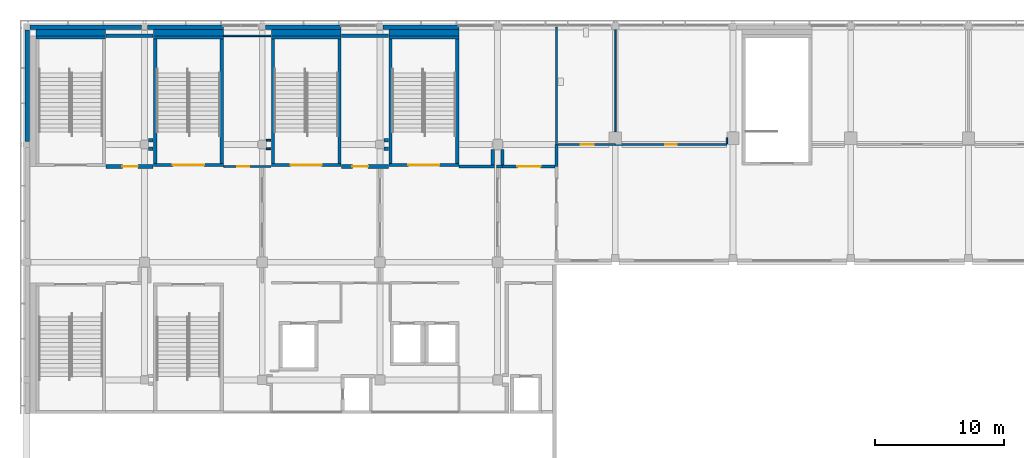
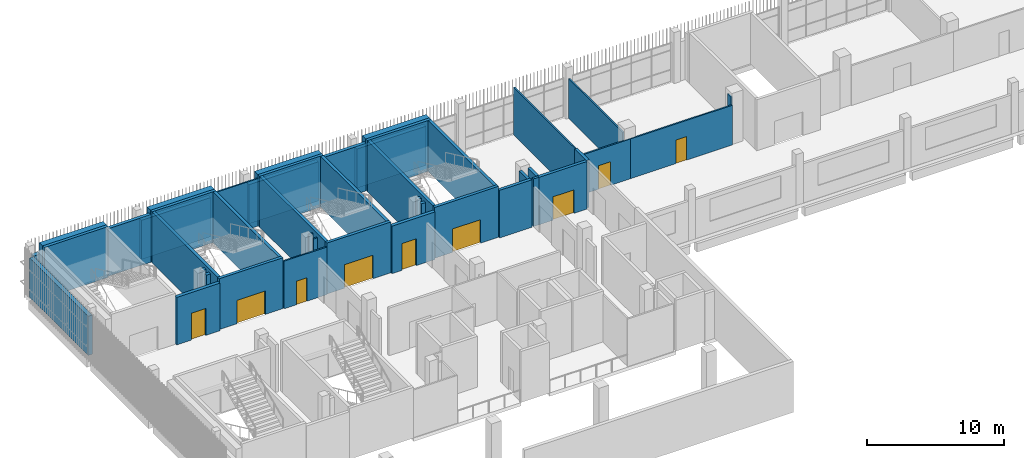
# One storey, part 62 of 104: 45 walls, 9 doors, 9 openings.
"""IFC4 building model written with IfcOpenShell, lengths in metres."""

from ifc_helpers import new_model, si_unit, direction, frame, frame_2d, origin, place, context, subcontext, project, spatial, rectangle, extrude, material, layer, layer_set, type_object, element, fill, save


model = new_model("IFC4")

# Units and contexts
model_context = context("Model", 3, precision=1e-05, world=origin(), true_north=direction((0.0, 1.0)))
body_context = subcontext(model_context, "Body", "Model", "MODEL_VIEW")
ifc_project = project(units=[si_unit("LENGTHUNIT", "METRE"), si_unit("AREAUNIT", "SQUARE_METRE"), si_unit("VOLUMEUNIT", "CUBIC_METRE"), si_unit("PLANEANGLEUNIT", "RADIAN"), si_unit("MASSUNIT", "GRAM", prefix="KILO")], contexts=[model_context])

# Site, building, storey
site_placement = place(None, origin())
site = spatial("IfcSite", under=ifc_project, at=site_placement, CompositionType="ELEMENT")
building_placement = place(site_placement, origin())
building = spatial("IfcBuilding", under=site, at=building_placement, Name="Shirokan Park Arena", CompositionType="ELEMENT")
storey_placement = place(building_placement, frame((0.0, 0.0, 10.919921875)))
storey = spatial("IfcBuildingStorey", under=building, at=storey_placement, Name="L02", CompositionType="ELEMENT", Elevation=10.919921875)

# Walls
ifc_material_1 = material(Name="Plaster")
ifc_layer_1 = layer(ifc_material_1, 0.014892578125, Name="Plaster")
ifc_material_2 = material(Name="Concrete blockwork", Category="masonry")
ifc_layer_2 = layer(ifc_material_2, 0.219970703125, Name="Concrete blockwork 220")
ifc_layer_3 = layer(ifc_material_1, 0.014892578125, Name="Plaster")
ifc_layer_set_1 = layer_set([ifc_layer_1, ifc_layer_2, ifc_layer_3], Name="Plaster + Concrete blockwork 220")
wall_type_1 = type_object("IfcWallType", Name="Compartment wall 250", PredefinedType="SOLIDWALL", material=ifc_layer_set_1)
wall_1_placement = place(storey_placement, frame((33.429931640625, 98.39990234375, 0.0), z_axis=(0.0, 0.0, 1.0), x_axis=(1.0, 0.0, 0.0)))
element("IfcWall", 1, at=wall_1_placement, inside=storey, type_object=wall_type_1, Name="Compartment wall 250 L02", PredefinedType="SOLIDWALL", context=body_context, shape_type="SweptSolid", body=[
    extrude(rectangle(XDim=2.719970703125, YDim=0.25, at=frame_2d((1.35986328125, 0.0))), origin(), (0.0, 0.0, 1.0), 4.25),
])
wall_2_placement = place(storey_placement, frame((36.02490234375, 98.52490234375, 0.0), z_axis=(0.0, 0.0, 1.0), x_axis=(0.0, 1.0, 0.0)))
element("IfcWall", 2, at=wall_2_placement, inside=storey, type_object=wall_type_1, Name="Compartment wall 250 L02", PredefinedType="SOLIDWALL", context=body_context, shape_type="SweptSolid", body=[
    extrude(rectangle(XDim=1.2001953125, YDim=0.25, at=frame_2d((0.60009765625, 0.0))), origin(), (0.0, 0.0, 1.0), 4.25),
])

# Wall, opening, door
wall_3_placement = place(storey_placement, frame((36.77490234375, 98.39990234375, 0.0), z_axis=(0.0, 0.0, 1.0), x_axis=(1.0, 0.0, 0.0)))
wall_3 = element("IfcWall", 3, at=wall_3_placement, inside=storey, type_object=wall_type_1, Name="Compartment wall 250 L02", PredefinedType="SOLIDWALL", context=body_context, shape_type="SweptSolid", body=[
    extrude(rectangle(XDim=4.050048828125, YDim=0.25, at=frame_2d((2.02490234375, 0.0))), origin(), (0.0, 0.0, 1.0), 4.25),
])
opening_1_placement = place(wall_3_placement, frame((1.14990234375, 0.0, 0.0)))
opening_1 = element("IfcOpeningElement", 4, at=opening_1_placement, cuts=wall_3, Name="Opening D-2030", PredefinedType="OPENING", context=body_context, shape_type="SweptSolid", body=[
    extrude(rectangle(XDim=1.800048828125, YDim=2.10009765625, at=frame_2d((0.89990234375, 1.050048828125))), frame((0.0, 0.135009765625, 0.0), z_axis=(0.0, -1.0, 0.0), x_axis=(1.0, 0.0, 0.0)), (0.0, 0.0, 1.0), 0.27001953125),
])
ifc_material_3 = material(Name="Timber door set, fire resisting", Category="wood")
door_type_1 = type_object("IfcDoorType", Name="Double door 1800 x 2100", OperationType="DOUBLE_DOOR_SINGLE_SWING", PredefinedType="DOOR", material=ifc_material_3)
door_1_placement = place(opening_1_placement, origin())
door_1 = element("IfcDoor", 5, at=door_1_placement, inside=storey, type_object=door_type_1, Name="Door to Glass Wash Room 2.43 D-2030", OperationType="DOUBLE_DOOR_SINGLE_SWING", OverallHeight=2.10009765625, OverallWidth=1.800048828125, PredefinedType="DOOR", context=body_context, shape_type="SweptSolid", body=[
    extrude(rectangle(XDim=1.800048828125, YDim=2.10009765625, at=frame_2d((0.89990234375, 1.050048828125))), frame((0.0, 0.02490234375, 0.0), z_axis=(0.0, -1.0, 0.0), x_axis=(1.0, 0.0, 0.0)), (0.0, 0.0, 1.0), 0.050048828125),
])
fill(opening_1, door_1)

# Walls
wall_4_placement = place(storey_placement, frame((36.77490234375, 99.72509765625, 0.0), z_axis=(0.0, 0.0, 1.0), x_axis=(0.0, -1.0, 0.0)))
element("IfcWall", 6, at=wall_4_placement, inside=storey, type_object=wall_type_1, Name="Compartment wall 250 L02", PredefinedType="SOLIDWALL", context=body_context, shape_type="SweptSolid", body=[
    extrude(rectangle(XDim=1.2001953125, YDim=0.25, at=frame_2d((0.60009765625, 0.0))), origin(), (0.0, 0.0, 1.0), 4.25),
])
wall_5_placement = place(storey_placement, frame((40.949951171875, 100.10009765625, 0.0), z_axis=(0.0, 0.0, 1.0), x_axis=(0.0, -1.0, 0.0)))
element("IfcWall", 7, at=wall_5_placement, inside=storey, type_object=wall_type_1, Name="Compartment wall 250 L02", PredefinedType="SOLIDWALL", context=body_context, shape_type="SweptSolid", body=[
    extrude(rectangle(XDim=1.7001953125, YDim=0.25, at=frame_2d((0.85009765625, 0.0))), origin(), (0.0, 0.0, 1.0), 4.25),
])
ifc_material_4 = material(Name="Gypsum board")
ifc_layer_4 = layer(ifc_material_4, 0.02490234375, Name="Gypsum board, two layers")
ifc_material_5 = material(Name="Mineral wool insulation")
ifc_layer_5 = layer(ifc_material_5, 0.14990234375, Name="Mineral wool insulation")
ifc_layer_6 = layer(ifc_material_4, 0.02490234375, Name="Gypsum board, two layers")
ifc_layer_set_2 = layer_set([ifc_layer_4, ifc_layer_5, ifc_layer_6], Name="Gypsum board, two layers + Mineral wool insulation")
wall_type_2 = type_object("IfcWallType", Name="Corridor wall 200", PredefinedType="PARTITIONING", material=ifc_layer_set_2)
wall_6_placement = place(storey_placement, frame((36.77490234375, 98.39990234375, 0.0), z_axis=(0.0, 0.0, 1.0), x_axis=(-1.0, 0.0, 0.0)))
element("IfcWall", 8, at=wall_6_placement, inside=storey, type_object=wall_type_2, Name="Corridor wall 200 L02", PredefinedType="PARTITIONING", context=body_context, shape_type="SweptSolid", body=[
    extrude(rectangle(XDim=0.474853515625, YDim=0.199951171875, at=frame_2d((0.2373046875, 0.0))), origin(), (0.0, 0.0, 1.0), 4.25),
])
ifc_material_6 = material(Name="Cedar cladding")
ifc_layer_7 = layer(ifc_material_6, 0.030029296875, Name="Cedar cladding")
ifc_layer_8 = layer(ifc_material_5, 0.10009765625, Name="Mineral wool insulation")
ifc_material_7 = material(Name="Concrete C35", Category="concrete")
ifc_layer_9 = layer(ifc_material_7, 0.199951171875, Name="Concrete C35")
ifc_material_8 = material(Name="Gypsum board lining")
ifc_layer_10 = layer(ifc_material_8, 0.02001953125, Name="Gypsum board lining")
ifc_layer_set_3 = layer_set([ifc_layer_7, ifc_layer_8, ifc_layer_9, ifc_layer_10], Name="Cedar cladding + Mineral wool insulation + Concrete C35 + Gypsum board lining")
wall_type_3 = type_object("IfcWallType", Name="Insulated tower wall 350", PredefinedType="SOLIDWALL", material=ifc_layer_set_3)
wall_7_placement = place(storey_placement, frame((33.39990234375, 109.175048828125, 0.0), z_axis=(0.0, 0.0, 1.0), x_axis=(-1.0, 0.0, 0.0)))
element("IfcWall", 9, at=wall_7_placement, inside=storey, type_object=wall_type_3, Name="North facade wall bay 13 L02", PredefinedType="SOLIDWALL", context=body_context, shape_type="SweptSolid", body=[
    extrude(rectangle(XDim=5.849853515625, YDim=0.35009765625, at=frame_2d((2.9248046875, 0.0))), origin(), (0.0, 0.0, 1.0), 3.5),
])
wall_8_placement = place(storey_placement, frame((24.300048828125, 109.175048828125, 0.0), z_axis=(0.0, 0.0, 1.0), x_axis=(-1.0, 0.0, 0.0)))
element("IfcWall", 10, at=wall_8_placement, inside=storey, type_object=wall_type_3, Name="North facade wall bay 14 L02", PredefinedType="SOLIDWALL", context=body_context, shape_type="SweptSolid", body=[
    extrude(rectangle(XDim=5.85009765625, YDim=0.35009765625, at=frame_2d((2.925048828125, 0.0))), origin(), (0.0, 0.0, 1.0), 3.5),
])
wall_9_placement = place(storey_placement, frame((15.199951171875, 109.175048828125, 0.0), z_axis=(0.0, 0.0, 1.0), x_axis=(-1.0, 0.0, 0.0)))
element("IfcWall", 11, at=wall_9_placement, inside=storey, type_object=wall_type_3, Name="North facade wall bay 15 L02", PredefinedType="SOLIDWALL", context=body_context, shape_type="SweptSolid", body=[
    extrude(rectangle(XDim=5.849853515625, YDim=0.35009765625, at=frame_2d((2.9248046875, 0.0))), origin(), (0.0, 0.0, 1.0), 3.5),
])
wall_10_placement = place(storey_placement, frame((8.85009765625, 109.175048828125, 0.0), z_axis=(0.0, 0.0, 1.0), x_axis=(-1.0, 0.0, 0.0)))
element("IfcWall", 12, at=wall_10_placement, inside=storey, type_object=wall_type_3, Name="North facade wall bay 16 L02", PredefinedType="SOLIDWALL", context=body_context, shape_type="SweptSolid", body=[
    extrude(rectangle(XDim=8.60009765625, YDim=0.35009765625, at=frame_2d((4.300048828125, 0.0))), origin(), (0.0, 0.0, 1.0), 3.5),
])
wall_11_placement = place(storey_placement, frame((0.02490234375, 108.949951171875, 0.0), z_axis=(0.0, 0.0, 1.0), x_axis=(0.0, -1.0, 0.0)))
element("IfcWall", 13, at=wall_11_placement, inside=storey, type_object=wall_type_3, Name="West facade wall bay 1 L02", PredefinedType="SOLIDWALL", context=body_context, shape_type="SweptSolid", body=[
    extrude(rectangle(XDim=8.599853515625, YDim=0.35009765625, at=frame_2d((4.2998046875, 0.0))), origin(), (0.0, 0.0, 1.0), 3.5),
])

# Wall, opening, door
ifc_layer_11 = layer(ifc_material_1, 0.012451171875, Name="Plaster")
ifc_layer_12 = layer(ifc_material_2, 0.25, Name="Concrete blockwork 250")
ifc_layer_13 = layer(ifc_material_1, 0.012451171875, Name="Plaster")
ifc_layer_set_4 = layer_set([ifc_layer_11, ifc_layer_12, ifc_layer_13], Name="Plaster + Concrete blockwork 250")
wall_type_4 = type_object("IfcWallType", Name="Plant room wall 275", PredefinedType="SOLIDWALL", material=ifc_layer_set_4)
wall_12_placement = place(storey_placement, frame((6.1298828125, 98.39990234375, 0.0), z_axis=(0.0, 0.0, 1.0), x_axis=(1.0, 0.0, 0.0)))
wall_12 = element("IfcWall", 14, at=wall_12_placement, inside=storey, type_object=wall_type_4, Name="Plant room wall 275 L02", PredefinedType="SOLIDWALL", context=body_context, shape_type="SweptSolid", body=[
    extrude(rectangle(XDim=3.64013671875, YDim=0.27490234375, at=frame_2d((1.820068359375, 0.0))), origin(), (0.0, 0.0, 1.0), 4.25),
])
opening_2_placement = place(wall_12_placement, frame((1.25, 0.0, 0.0)))
opening_2 = element("IfcOpeningElement", 15, at=opening_2_placement, cuts=wall_12, Name="Opening D-2027", PredefinedType="OPENING", context=body_context, shape_type="SweptSolid", body=[
    extrude(rectangle(XDim=1.199951171875, YDim=2.39990234375, at=frame_2d((0.60009765625, 1.199951171875))), frame((0.0, 0.1474609375, 0.0), z_axis=(0.0, -1.0, 0.0), x_axis=(1.0, 0.0, 0.0)), (0.0, 0.0, 1.0), 0.294921875),
])
ifc_material_9 = material(Name="Louvred steel door set, fire resisting", Category="steel")
door_type_2 = type_object("IfcDoorType", Name="Plant room door 1200 x 2400", OperationType="SINGLE_SWING_LEFT", PredefinedType="DOOR", material=ifc_material_9)
door_2_placement = place(opening_2_placement, origin())
door_2 = element("IfcDoor", 16, at=door_2_placement, inside=storey, type_object=door_type_2, Name="Door to Electrical Room 2.40 D-2027", OperationType="SINGLE_SWING_LEFT", OverallHeight=2.39990234375, OverallWidth=1.199951171875, PredefinedType="DOOR", context=body_context, shape_type="SweptSolid", body=[
    extrude(rectangle(XDim=1.199951171875, YDim=2.39990234375, at=frame_2d((0.60009765625, 1.199951171875))), frame((0.0, 0.02490234375, 0.0), z_axis=(0.0, -1.0, 0.0), x_axis=(1.0, 0.0, 0.0)), (0.0, 0.0, 1.0), 0.050048828125),
])
fill(opening_2, door_2)

# Walls
wall_13_placement = place(storey_placement, frame((6.1298828125, 108.5, 0.0), z_axis=(0.0, 0.0, 1.0), x_axis=(1.0, 0.0, 0.0)))
element("IfcWall", 17, at=wall_13_placement, inside=storey, type_object=wall_type_4, Name="Plant room wall 275 L02", PredefinedType="SOLIDWALL", context=body_context, shape_type="SweptSolid", body=[
    extrude(rectangle(XDim=3.64013671875, YDim=0.27490234375, at=frame_2d((1.820068359375, 0.0))), origin(), (0.0, 0.0, 1.0), 4.25),
])
for number, where, z_axis, x_axis, name in (
    (18, (9.425048828125, 99.77490234375, 0.0), (0.0, 0.0, 1.0), (1.0, 0.0, 0.0), "Plant room wall 275 L02"),
    (19, (9.77001953125, 100.425048828125, 0.0), (0.0, 0.0, 1.0), (-1.0, 0.0, 0.0), "Plant room wall 275 L02"),
):
    element("IfcWall", number, at=place(storey_placement, frame(where, z_axis=z_axis, x_axis=x_axis)), inside=storey, type_object=wall_type_4, Name=name, PredefinedType="SOLIDWALL", context=body_context, shape_type="SweptSolid", body=[
        extrude(rectangle(XDim=0.344970703125, YDim=0.27490234375, at=frame_2d((0.17236328125, 0.0))), origin(), (0.0, 0.0, 1.0), 4.25),
    ])

# Wall, opening, door
wall_14_placement = place(storey_placement, frame((24.330078125, 98.39990234375, 0.0), z_axis=(0.0, 0.0, 1.0), x_axis=(1.0, 0.0, 0.0)))
wall_14 = element("IfcWall", 20, at=wall_14_placement, inside=storey, type_object=wall_type_4, Name="Plant room wall 275 L02", PredefinedType="SOLIDWALL", context=body_context, shape_type="SweptSolid", body=[
    extrude(rectangle(XDim=3.639892578125, YDim=0.27490234375, at=frame_2d((1.81982421875, 0.0))), origin(), (0.0, 0.0, 1.0), 4.25),
])
opening_3_placement = place(wall_14_placement, frame((0.85009765625, 0.0, 0.0)))
opening_3 = element("IfcOpeningElement", 21, at=opening_3_placement, cuts=wall_14, Name="Opening D-2029", PredefinedType="OPENING", context=body_context, shape_type="SweptSolid", body=[
    extrude(rectangle(XDim=1.199951171875, YDim=2.39990234375, at=frame_2d((0.60009765625, 1.199951171875))), frame((0.0, 0.1474609375, 0.0), z_axis=(0.0, -1.0, 0.0), x_axis=(1.0, 0.0, 0.0)), (0.0, 0.0, 1.0), 0.294921875),
])
door_3_placement = place(opening_3_placement, origin())
door_3 = element("IfcDoor", 22, at=door_3_placement, inside=storey, type_object=door_type_2, Name="Door to Communications Room 2.42 D-2029", OperationType="SINGLE_SWING_RIGHT", OverallHeight=2.39990234375, OverallWidth=1.199951171875, PredefinedType="DOOR", context=body_context, shape_type="SweptSolid", body=[
    extrude(rectangle(XDim=1.199951171875, YDim=2.39990234375, at=frame_2d((0.60009765625, 1.199951171875))), frame((0.0, 0.02490234375, 0.0), z_axis=(0.0, -1.0, 0.0), x_axis=(1.0, 0.0, 0.0)), (0.0, 0.0, 1.0), 0.050048828125),
])
fill(opening_3, door_3)

# Walls
wall_15_placement = place(storey_placement, frame((24.330078125, 108.5, 0.0), z_axis=(0.0, 0.0, 1.0), x_axis=(1.0, 0.0, 0.0)))
element("IfcWall", 23, at=wall_15_placement, inside=storey, type_object=wall_type_4, Name="Plant room wall 275 L02", PredefinedType="SOLIDWALL", context=body_context, shape_type="SweptSolid", body=[
    extrude(rectangle(XDim=3.639892578125, YDim=0.27490234375, at=frame_2d((1.81982421875, 0.0))), origin(), (0.0, 0.0, 1.0), 4.25),
])
for number, where, z_axis, x_axis, name in (
    (24, (27.625, 99.77490234375, 0.0), (0.0, 0.0, 1.0), (1.0, 0.0, 0.0), "Plant room wall 275 L02"),
    (25, (27.969970703125, 100.425048828125, 0.0), (0.0, 0.0, 1.0), (-1.0, 0.0, 0.0), "Plant room wall 275 L02"),
):
    element("IfcWall", number, at=place(storey_placement, frame(where, z_axis=z_axis, x_axis=x_axis)), inside=storey, type_object=wall_type_4, Name=name, PredefinedType="SOLIDWALL", context=body_context, shape_type="SweptSolid", body=[
        extrude(rectangle(XDim=0.344970703125, YDim=0.27490234375, at=frame_2d((0.17236328125, 0.0))), origin(), (0.0, 0.0, 1.0), 4.25),
    ])
ifc_material_10 = material(Name="Concrete C40/50", Category="concrete")
ifc_layer_14 = layer(ifc_material_10, 0.25)
ifc_layer_set_5 = layer_set([ifc_layer_14], Name="Concrete C40/50 250 mm")
wall_type_5 = type_object("IfcWallType", Name="RC shear wall 250", PredefinedType="SHEAR", material=ifc_layer_set_5)
wall_16_placement = place(storey_placement, frame((6.10009765625, 108.375, 0.0), z_axis=(0.0, 0.0, 1.0), x_axis=(-1.0, 0.0, 0.0)))
element("IfcWall", 26, at=wall_16_placement, inside=storey, type_object=wall_type_5, Name="Shaft wall Exit Stair 4.A N L02", PredefinedType="SHEAR", context=body_context, shape_type="SweptSolid", body=[
    extrude(rectangle(XDim=5.400146484375, YDim=0.25, at=frame_2d((2.7001953125, 0.0))), origin(), (0.0, 0.0, 1.0), 4.550048828125),
])

# Wall, opening, door
wall_17_placement = place(storey_placement, frame((15.199951171875, 98.52490234375, 0.0), z_axis=(0.0, 0.0, 1.0), x_axis=(-1.0, 0.0, 0.0)))
wall_17 = element("IfcWall", 27, at=wall_17_placement, inside=storey, type_object=wall_type_5, Name="Shaft wall Exit Stair 4.B S L02", PredefinedType="SHEAR", context=body_context, shape_type="SweptSolid", body=[
    extrude(rectangle(XDim=5.39990234375, YDim=0.25, at=frame_2d((2.699951171875, 0.0))), origin(), (0.0, 0.0, 1.0), 4.550048828125),
])
opening_4_placement = place(wall_17_placement, frame((1.5, 0.0, 0.0)))
opening_4 = element("IfcOpeningElement", 28, at=opening_4_placement, cuts=wall_17, Name="Opening D-2101", PredefinedType="OPENING", context=body_context, shape_type="SweptSolid", body=[
    extrude(rectangle(XDim=2.39990234375, YDim=2.10009765625, at=frame_2d((1.199951171875, 1.050048828125))), frame((0.0, 0.135009765625, 0.0), z_axis=(0.0, -1.0, 0.0), x_axis=(1.0, 0.0, 0.0)), (0.0, 0.0, 1.0), 0.27001953125),
])
ifc_material_11 = material(Name="Steel door set, fire resisting", Category="steel")
door_type_3 = type_object("IfcDoorType", Name="Stair door 2400 x 2100", OperationType="DOUBLE_DOOR_SINGLE_SWING", PredefinedType="DOOR", material=ifc_material_11)
door_4_placement = place(opening_4_placement, origin())
door_4 = element("IfcDoor", 29, at=door_4_placement, inside=storey, type_object=door_type_3, Name="Stair door Exit Stair 4.B D-2101", OperationType="DOUBLE_DOOR_SINGLE_SWING", OverallHeight=2.10009765625, OverallWidth=2.39990234375, PredefinedType="DOOR", context=body_context, shape_type="SweptSolid", body=[
    extrude(rectangle(XDim=2.39990234375, YDim=2.10009765625, at=frame_2d((1.199951171875, 1.050048828125))), frame((0.0, 0.02490234375, 0.0), z_axis=(0.0, -1.0, 0.0), x_axis=(1.0, 0.0, 0.0)), (0.0, 0.0, 1.0), 0.050048828125),
])
fill(opening_4, door_4)

# Walls
wall_18_placement = place(storey_placement, frame((15.199951171875, 108.375, 0.0), z_axis=(0.0, 0.0, 1.0), x_axis=(-1.0, 0.0, 0.0)))
element("IfcWall", 30, at=wall_18_placement, inside=storey, type_object=wall_type_5, Name="Shaft wall Exit Stair 4.B N L02", PredefinedType="SHEAR", context=body_context, shape_type="SweptSolid", body=[
    extrude(rectangle(XDim=5.39990234375, YDim=0.25, at=frame_2d((2.699951171875, 0.0))), origin(), (0.0, 0.0, 1.0), 4.550048828125),
])
for number, where, z_axis, x_axis, name in (
    (31, (9.925048828125, 108.25, 0.0), (0.0, 0.0, 1.0), (0.0, -1.0, 0.0), "Shaft wall Exit Stair 4.B W L02"),
    (32, (15.074951171875, 108.25, 0.0), (0.0, 0.0, 1.0), (0.0, -1.0, 0.0), "Shaft wall Exit Stair 4.B E L02"),
):
    element("IfcWall", number, at=place(storey_placement, frame(where, z_axis=z_axis, x_axis=x_axis)), inside=storey, type_object=wall_type_5, Name=name, PredefinedType="SHEAR", context=body_context, shape_type="SweptSolid", body=[
        extrude(rectangle(XDim=9.60009765625, YDim=0.25, at=frame_2d((4.800048828125, 0.0))), origin(), (0.0, 0.0, 1.0), 4.550048828125),
    ])

# Wall, opening, door
wall_19_placement = place(storey_placement, frame((24.300048828125, 98.52490234375, 0.0), z_axis=(0.0, 0.0, 1.0), x_axis=(-1.0, 0.0, 0.0)))
wall_19 = element("IfcWall", 33, at=wall_19_placement, inside=storey, type_object=wall_type_5, Name="Shaft wall Exit Stair 4.C S L02", PredefinedType="SHEAR", context=body_context, shape_type="SweptSolid", body=[
    extrude(rectangle(XDim=5.400146484375, YDim=0.25, at=frame_2d((2.7001953125, 0.0))), origin(), (0.0, 0.0, 1.0), 4.550048828125),
])
opening_5_placement = place(wall_19_placement, frame((1.5, 0.0, 0.0)))
opening_5 = element("IfcOpeningElement", 34, at=opening_5_placement, cuts=wall_19, Name="Opening D-2102", PredefinedType="OPENING", context=body_context, shape_type="SweptSolid", body=[
    extrude(rectangle(XDim=2.39990234375, YDim=2.10009765625, at=frame_2d((1.199951171875, 1.050048828125))), frame((0.0, 0.135009765625, 0.0), z_axis=(0.0, -1.0, 0.0), x_axis=(1.0, 0.0, 0.0)), (0.0, 0.0, 1.0), 0.27001953125),
])
door_5_placement = place(opening_5_placement, origin())
door_5 = element("IfcDoor", 35, at=door_5_placement, inside=storey, type_object=door_type_3, Name="Stair door Exit Stair 4.C D-2102", OperationType="DOUBLE_DOOR_SINGLE_SWING", OverallHeight=2.10009765625, OverallWidth=2.39990234375, PredefinedType="DOOR", context=body_context, shape_type="SweptSolid", body=[
    extrude(rectangle(XDim=2.39990234375, YDim=2.10009765625, at=frame_2d((1.199951171875, 1.050048828125))), frame((0.0, 0.02490234375, 0.0), z_axis=(0.0, -1.0, 0.0), x_axis=(1.0, 0.0, 0.0)), (0.0, 0.0, 1.0), 0.050048828125),
])
fill(opening_5, door_5)

# Walls
wall_20_placement = place(storey_placement, frame((24.300048828125, 108.375, 0.0), z_axis=(0.0, 0.0, 1.0), x_axis=(-1.0, 0.0, 0.0)))
element("IfcWall", 36, at=wall_20_placement, inside=storey, type_object=wall_type_5, Name="Shaft wall Exit Stair 4.C N L02", PredefinedType="SHEAR", context=body_context, shape_type="SweptSolid", body=[
    extrude(rectangle(XDim=5.400146484375, YDim=0.25, at=frame_2d((2.7001953125, 0.0))), origin(), (0.0, 0.0, 1.0), 4.550048828125),
])
for number, where, z_axis, x_axis, name in (
    (37, (19.02490234375, 108.25, 0.0), (0.0, 0.0, 1.0), (0.0, -1.0, 0.0), "Shaft wall Exit Stair 4.C W L02"),
    (38, (24.175048828125, 108.25, 0.0), (0.0, 0.0, 1.0), (0.0, -1.0, 0.0), "Shaft wall Exit Stair 4.C E L02"),
):
    element("IfcWall", number, at=place(storey_placement, frame(where, z_axis=z_axis, x_axis=x_axis)), inside=storey, type_object=wall_type_5, Name=name, PredefinedType="SHEAR", context=body_context, shape_type="SweptSolid", body=[
        extrude(rectangle(XDim=9.60009765625, YDim=0.25, at=frame_2d((4.800048828125, 0.0))), origin(), (0.0, 0.0, 1.0), 4.550048828125),
    ])

# Wall, opening, door
wall_21_placement = place(storey_placement, frame((33.39990234375, 98.52490234375, 0.0), z_axis=(0.0, 0.0, 1.0), x_axis=(-1.0, 0.0, 0.0)))
wall_21 = element("IfcWall", 39, at=wall_21_placement, inside=storey, type_object=wall_type_5, Name="Shaft wall Exit Stair 4.D S L02", PredefinedType="SHEAR", context=body_context, shape_type="SweptSolid", body=[
    extrude(rectangle(XDim=5.39990234375, YDim=0.25, at=frame_2d((2.699951171875, 0.0))), origin(), (0.0, 0.0, 1.0), 4.550048828125),
])
opening_6_placement = place(wall_21_placement, frame((1.5, 0.0, 0.0)))
opening_6 = element("IfcOpeningElement", 40, at=opening_6_placement, cuts=wall_21, Name="Opening D-2103", PredefinedType="OPENING", context=body_context, shape_type="SweptSolid", body=[
    extrude(rectangle(XDim=2.39990234375, YDim=2.10009765625, at=frame_2d((1.199951171875, 1.050048828125))), frame((0.0, 0.135009765625, 0.0), z_axis=(0.0, -1.0, 0.0), x_axis=(1.0, 0.0, 0.0)), (0.0, 0.0, 1.0), 0.27001953125),
])
door_6_placement = place(opening_6_placement, origin())
door_6 = element("IfcDoor", 41, at=door_6_placement, inside=storey, type_object=door_type_3, Name="Stair door Exit Stair 4.D D-2103", OperationType="DOUBLE_DOOR_SINGLE_SWING", OverallHeight=2.10009765625, OverallWidth=2.39990234375, PredefinedType="DOOR", context=body_context, shape_type="SweptSolid", body=[
    extrude(rectangle(XDim=2.39990234375, YDim=2.10009765625, at=frame_2d((1.199951171875, 1.050048828125))), frame((0.0, 0.02490234375, 0.0), z_axis=(0.0, -1.0, 0.0), x_axis=(1.0, 0.0, 0.0)), (0.0, 0.0, 1.0), 0.050048828125),
])
fill(opening_6, door_6)

# Walls
wall_22_placement = place(storey_placement, frame((33.39990234375, 108.375, 0.0), z_axis=(0.0, 0.0, 1.0), x_axis=(-1.0, 0.0, 0.0)))
element("IfcWall", 42, at=wall_22_placement, inside=storey, type_object=wall_type_5, Name="Shaft wall Exit Stair 4.D N L02", PredefinedType="SHEAR", context=body_context, shape_type="SweptSolid", body=[
    extrude(rectangle(XDim=5.39990234375, YDim=0.25, at=frame_2d((2.699951171875, 0.0))), origin(), (0.0, 0.0, 1.0), 4.550048828125),
])
for number, where, z_axis, x_axis, name in (
    (43, (28.125, 108.25, 0.0), (0.0, 0.0, 1.0), (0.0, -1.0, 0.0), "Shaft wall Exit Stair 4.D W L02"),
    (44, (33.27490234375, 108.25, 0.0), (0.0, 0.0, 1.0), (0.0, -1.0, 0.0), "Shaft wall Exit Stair 4.D E L02"),
):
    element("IfcWall", number, at=place(storey_placement, frame(where, z_axis=z_axis, x_axis=x_axis)), inside=storey, type_object=wall_type_5, Name=name, PredefinedType="SHEAR", context=body_context, shape_type="SweptSolid", body=[
        extrude(rectangle(XDim=9.60009765625, YDim=0.25, at=frame_2d((4.800048828125, 0.0))), origin(), (0.0, 0.0, 1.0), 4.550048828125),
    ])
ifc_layer_15 = layer(ifc_material_7, 0.5)
ifc_layer_set_6 = layer_set([ifc_layer_15], Name="Concrete C35 500 mm")
wall_type_6 = type_object("IfcWallType", Name="Shaft infill wall 500", PredefinedType="SOLIDWALL", material=ifc_layer_set_6)
wall_23_placement = place(storey_placement, frame((0.699951171875, 108.75, 0.0), z_axis=(0.0, 0.0, 1.0), x_axis=(1.0, 0.0, 0.0)))
element("IfcWall", 45, at=wall_23_placement, inside=storey, type_object=wall_type_6, Name="Shaft infill wall L02", PredefinedType="SOLIDWALL", context=body_context, shape_type="SweptSolid", body=[
    extrude(rectangle(XDim=5.400146484375, YDim=0.5, at=frame_2d((2.7001953125, 0.0))), origin(), (0.0, 0.0, 1.0), 4.550048828125),
])
wall_24_placement = place(storey_placement, frame((9.800048828125, 108.75, 0.0), z_axis=(0.0, 0.0, 1.0), x_axis=(1.0, 0.0, 0.0)))
element("IfcWall", 46, at=wall_24_placement, inside=storey, type_object=wall_type_6, Name="Shaft infill wall L02", PredefinedType="SOLIDWALL", context=body_context, shape_type="SweptSolid", body=[
    extrude(rectangle(XDim=5.39990234375, YDim=0.5, at=frame_2d((2.699951171875, 0.0))), origin(), (0.0, 0.0, 1.0), 4.550048828125),
])
wall_25_placement = place(storey_placement, frame((18.89990234375, 108.75, 0.0), z_axis=(0.0, 0.0, 1.0), x_axis=(1.0, 0.0, 0.0)))
element("IfcWall", 47, at=wall_25_placement, inside=storey, type_object=wall_type_6, Name="Shaft infill wall L02", PredefinedType="SOLIDWALL", context=body_context, shape_type="SweptSolid", body=[
    extrude(rectangle(XDim=5.400146484375, YDim=0.5, at=frame_2d((2.7001953125, 0.0))), origin(), (0.0, 0.0, 1.0), 4.550048828125),
])
wall_26_placement = place(storey_placement, frame((28.0, 108.75, 0.0), z_axis=(0.0, 0.0, 1.0), x_axis=(1.0, 0.0, 0.0)))
element("IfcWall", 48, at=wall_26_placement, inside=storey, type_object=wall_type_6, Name="Shaft infill wall L02", PredefinedType="SOLIDWALL", context=body_context, shape_type="SweptSolid", body=[
    extrude(rectangle(XDim=5.39990234375, YDim=0.5, at=frame_2d((2.699951171875, 0.0))), origin(), (0.0, 0.0, 1.0), 4.550048828125),
])

# Wall, opening, door
ifc_material_12 = material(Name="Ceramic tile")
ifc_layer_16 = layer(ifc_material_12, 0.010009765625, Name="Ceramic tile")
ifc_material_13 = material(Name="Cement board")
ifc_layer_17 = layer(ifc_material_13, 0.012451171875, Name="Cement board")
ifc_layer_18 = layer(ifc_material_5, 0.080078125, Name="Mineral wool insulation")
ifc_layer_19 = layer(ifc_material_13, 0.012451171875, Name="Cement board")
ifc_layer_20 = layer(ifc_material_12, 0.010009765625, Name="Ceramic tile")
ifc_layer_set_7 = layer_set([ifc_layer_16, ifc_layer_17, ifc_layer_18, ifc_layer_19, ifc_layer_20], Name="Ceramic tile + Cement board + Mineral wool insulation")
wall_type_7 = type_object("IfcWallType", Name="Wet-area wall 125", PredefinedType="PARTITIONING", material=ifc_layer_set_7)
wall_27_placement = place(storey_placement, frame((15.22998046875, 98.39990234375, 0.0), z_axis=(0.0, 0.0, 1.0), x_axis=(1.0, 0.0, 0.0)))
wall_27 = element("IfcWall", 49, at=wall_27_placement, inside=storey, type_object=wall_type_7, Name="Wet-area wall 125 L02", PredefinedType="PARTITIONING", context=body_context, shape_type="SweptSolid", body=[
    extrude(rectangle(XDim=3.64013671875, YDim=0.125, at=frame_2d((1.820068359375, 0.0))), origin(), (0.0, 0.0, 1.0), 4.25),
])
opening_7_placement = place(wall_27_placement, frame((1.050048828125, 0.0, 0.0)))
opening_7 = element("IfcOpeningElement", 50, at=opening_7_placement, cuts=wall_27, Name="Opening D-2028", PredefinedType="OPENING", context=body_context, shape_type="SweptSolid", body=[
    extrude(rectangle(XDim=0.89990234375, YDim=2.10009765625, at=frame_2d((0.449951171875, 1.050048828125))), frame((0.0, 0.072509765625, 0.0), z_axis=(0.0, -1.0, 0.0), x_axis=(1.0, 0.0, 0.0)), (0.0, 0.0, 1.0), 0.14501953125),
])
door_type_4 = type_object("IfcDoorType", Name="Door 900 x 2100", OperationType="SINGLE_SWING_LEFT", PredefinedType="DOOR", material=ifc_material_3)
door_7_placement = place(opening_7_placement, origin())
door_7 = element("IfcDoor", 51, at=door_7_placement, inside=storey, type_object=door_type_4, Name="Door to Staff WC 2.41 D-2028", OperationType="SINGLE_SWING_LEFT", OverallHeight=2.10009765625, OverallWidth=0.89990234375, PredefinedType="DOOR", context=body_context, shape_type="SweptSolid", body=[
    extrude(rectangle(XDim=0.89990234375, YDim=2.10009765625, at=frame_2d((0.449951171875, 1.050048828125))), frame((0.0, 0.02490234375, 0.0), z_axis=(0.0, -1.0, 0.0), x_axis=(1.0, 0.0, 0.0)), (0.0, 0.0, 1.0), 0.050048828125),
])
fill(opening_7, door_7)

# Walls
wall_28_placement = place(storey_placement, frame((15.22998046875, 108.5, 0.0), z_axis=(0.0, 0.0, 1.0), x_axis=(1.0, 0.0, 0.0)))
element("IfcWall", 52, at=wall_28_placement, inside=storey, type_object=wall_type_7, Name="Wet-area wall 125 L02", PredefinedType="PARTITIONING", context=body_context, shape_type="SweptSolid", body=[
    extrude(rectangle(XDim=3.64013671875, YDim=0.125, at=frame_2d((1.820068359375, 0.0))), origin(), (0.0, 0.0, 1.0), 4.25),
])
for number, where, z_axis, x_axis, name in (
    (53, (18.52490234375, 99.77490234375, 0.0), (0.0, 0.0, 1.0), (1.0, 0.0, 0.0), "Wet-area wall 125 L02"),
    (54, (18.8701171875, 100.425048828125, 0.0), (0.0, 0.0, 1.0), (-1.0, 0.0, 0.0), "Wet-area wall 125 L02"),
):
    element("IfcWall", number, at=place(storey_placement, frame(where, z_axis=z_axis, x_axis=x_axis)), inside=storey, type_object=wall_type_7, Name=name, PredefinedType="PARTITIONING", context=body_context, shape_type="SweptSolid", body=[
        extrude(rectangle(XDim=0.34521484375, YDim=0.125, at=frame_2d((0.172607421875, 0.0))), origin(), (0.0, 0.0, 1.0), 4.25),
    ])
wall_29_placement = place(storey_placement, frame((40.949951171875, 100.10009765625, 0.0), z_axis=(0.0, 0.0, 1.0), x_axis=(0.0, 1.0, 0.0)))
element("IfcWall", 55, at=wall_29_placement, inside=storey, type_object=wall_type_7, Name="Wet-area wall 125 L02", PredefinedType="PARTITIONING", context=body_context, shape_type="SweptSolid", body=[
    extrude(rectangle(XDim=9.06982421875, YDim=0.125, at=frame_2d((4.534912109375, 0.0))), origin(), (0.0, 0.0, 1.0), 4.25),
])

# Wall, opening, door
wall_30_placement = place(storey_placement, frame((41.074951171875, 100.10009765625, 0.0), z_axis=(0.0, 0.0, 1.0), x_axis=(1.0, 0.0, 0.0)))
wall_30 = element("IfcWall", 56, at=wall_30_placement, inside=storey, type_object=wall_type_7, Name="Wet-area wall 125 L02", PredefinedType="PARTITIONING", context=body_context, shape_type="SweptSolid", body=[
    extrude(rectangle(XDim=4.425048828125, YDim=0.125, at=frame_2d((2.21240234375, 0.0))), origin(), (0.0, 0.0, 1.0), 3.550048828125),
])
opening_8_placement = place(wall_30_placement, frame((1.75, 0.0, 0.0)))
opening_8 = element("IfcOpeningElement", 57, at=opening_8_placement, cuts=wall_30, Name="Opening D-2031", PredefinedType="OPENING", context=body_context, shape_type="SweptSolid", body=[
    extrude(rectangle(XDim=1.0, YDim=2.10009765625, at=frame_2d((0.5, 1.050048828125))), frame((0.0, 0.072509765625, 0.0), z_axis=(0.0, -1.0, 0.0), x_axis=(1.0, 0.0, 0.0)), (0.0, 0.0, 1.0), 0.14501953125),
])
door_type_5 = type_object("IfcDoorType", Name="Accessible WC door 1000 x 2100", OperationType="SINGLE_SWING_RIGHT", PredefinedType="DOOR", material=ifc_material_3)
door_8_placement = place(opening_8_placement, origin())
door_8 = element("IfcDoor", 58, at=door_8_placement, inside=storey, type_object=door_type_5, Name="Door to Accessible WC 2.31 D-2031", OperationType="SINGLE_SWING_LEFT", OverallHeight=2.10009765625, OverallWidth=1.0, PredefinedType="DOOR", context=body_context, shape_type="SweptSolid", body=[
    extrude(rectangle(XDim=1.0, YDim=2.10009765625, at=frame_2d((0.5, 1.050048828125))), frame((0.0, 0.02490234375, 0.0), z_axis=(0.0, -1.0, 0.0), x_axis=(1.0, 0.0, 0.0)), (0.0, 0.0, 1.0), 0.050048828125),
])
fill(opening_8, door_8)

wall_31_placement = place(storey_placement, frame((45.5, 100.10009765625, 0.0), z_axis=(0.0, 0.0, 1.0), x_axis=(1.0, 0.0, 0.0)))
wall_31 = element("IfcWall", 59, at=wall_31_placement, inside=storey, type_object=wall_type_7, Name="Wet-area wall 125 L02", PredefinedType="PARTITIONING", context=body_context, shape_type="SweptSolid", body=[
    extrude(rectangle(XDim=8.625, YDim=0.125, at=frame_2d((4.3125, 0.0))), origin(), (0.0, 0.0, 1.0), 3.550048828125),
])
opening_9_placement = place(wall_31_placement, frame((3.85009765625, 0.0, 0.0)))
opening_9 = element("IfcOpeningElement", 60, at=opening_9_placement, cuts=wall_31, Name="Opening D-2032", PredefinedType="OPENING", context=body_context, shape_type="SweptSolid", body=[
    extrude(rectangle(XDim=0.89990234375, YDim=2.10009765625, at=frame_2d((0.449951171875, 1.050048828125))), frame((0.0, 0.072509765625, 0.0), z_axis=(0.0, -1.0, 0.0), x_axis=(1.0, 0.0, 0.0)), (0.0, 0.0, 1.0), 0.14501953125),
])
door_9_placement = place(opening_9_placement, origin())
door_9 = element("IfcDoor", 61, at=door_9_placement, inside=storey, type_object=door_type_4, Name="Door to Women's WC 2.32 D-2032", OperationType="SINGLE_SWING_RIGHT", OverallHeight=2.10009765625, OverallWidth=0.89990234375, PredefinedType="DOOR", context=body_context, shape_type="SweptSolid", body=[
    extrude(rectangle(XDim=0.89990234375, YDim=2.10009765625, at=frame_2d((0.449951171875, 1.050048828125))), frame((0.0, 0.02490234375, 0.0), z_axis=(0.0, -1.0, 0.0), x_axis=(1.0, 0.0, 0.0)), (0.0, 0.0, 1.0), 0.050048828125),
])
fill(opening_9, door_9)

# Walls
wall_32_placement = place(storey_placement, frame((45.5, 108.97509765625, 0.0), z_axis=(0.0, 0.0, 1.0), x_axis=(0.0, -1.0, 0.0)))
element("IfcWall", 62, at=wall_32_placement, inside=storey, type_object=wall_type_7, Name="Wet-area wall 125 L02", PredefinedType="PARTITIONING", context=body_context, shape_type="SweptSolid", body=[
    extrude(rectangle(XDim=7.925048828125, YDim=0.125, at=frame_2d((3.96240234375, 0.0))), origin(), (0.0, 0.0, 1.0), 3.550048828125),
])
wall_33_placement = place(storey_placement, frame((54.125, 100.14990234375, 0.0), z_axis=(0.0, 0.0, 1.0), x_axis=(0.0, 1.0, 0.0)))
element("IfcWall", 63, at=wall_33_placement, inside=storey, type_object=wall_type_7, Name="Wet-area wall 125 L02", PredefinedType="PARTITIONING", context=body_context, shape_type="SweptSolid", body=[
    extrude(rectangle(XDim=0.47509765625, YDim=0.125, at=frame_2d((0.237548828125, 0.0))), origin(), (0.0, 0.0, 1.0), 4.25),
])

save(model, "model.ifc")
